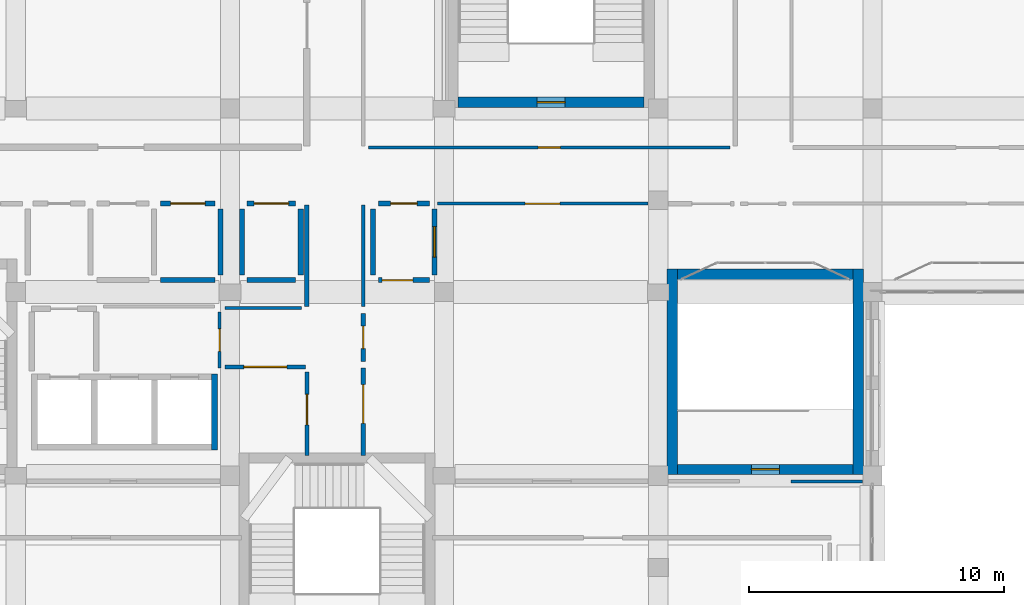
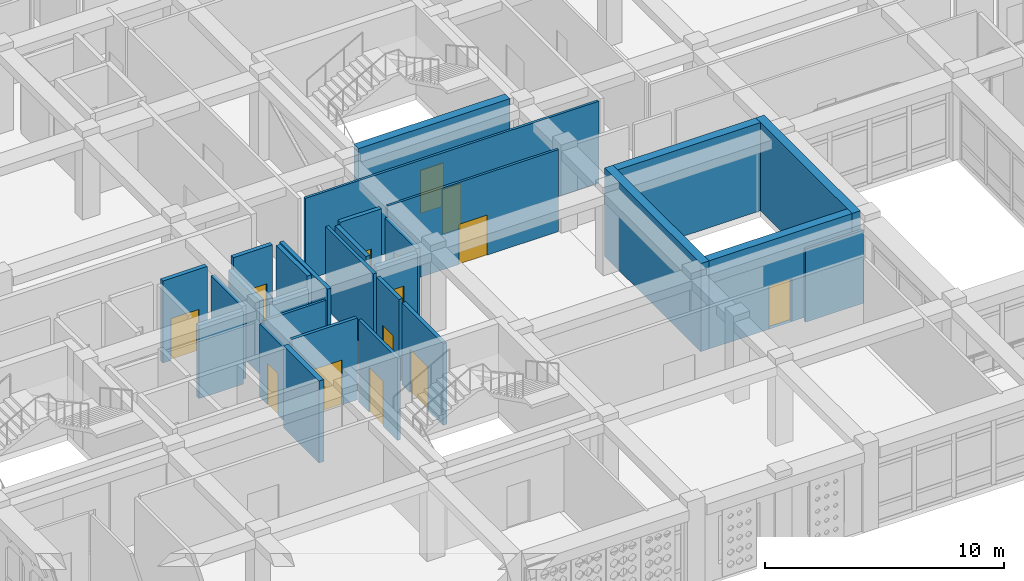
# One storey, part 73 of 121: 28 walls, 14 doors, 14 openings.
"""IFC4 building model written with IfcOpenShell, lengths in metres."""

from ifc_helpers import new_model, si_unit, derived_unit, direction, frame, frame_2d, origin, place, context, subcontext, project, spatial, rectangle, extrude, material, layer, layer_set, type_object, element, fill, save


model = new_model("IFC4")

# Units and contexts
model_context = context("Model", 3, precision=1e-05, world=origin(), true_north=direction((0.0, 1.0)))
body_context = subcontext(model_context, "Body", "Model", "MODEL_VIEW")
ifc_project = project(units=[si_unit("LENGTHUNIT", "METRE"), si_unit("AREAUNIT", "SQUARE_METRE"), si_unit("VOLUMEUNIT", "CUBIC_METRE"), si_unit("PLANEANGLEUNIT", "RADIAN"), si_unit("MASSUNIT", "GRAM", prefix="KILO"), derived_unit("THERMALTRANSMITTANCEUNIT", [(si_unit("POWERUNIT", "WATT"), 1), (si_unit("LENGTHUNIT", "METRE"), -2), (si_unit("THERMODYNAMICTEMPERATUREUNIT", "KELVIN"), -1)])], contexts=[model_context])

# Site, building, storey
site_placement = place(None, origin())
site = spatial("IfcSite", under=ifc_project, at=site_placement, CompositionType="ELEMENT")
building_placement = place(site_placement, origin())
building = spatial("IfcBuilding", under=site, at=building_placement, Name="Veybourne Emporium", CompositionType="ELEMENT")
storey_placement = place(building_placement, frame((0.0, 0.0, 5.39990234375)))
storey = spatial("IfcBuildingStorey", under=building, at=storey_placement, Name="L01", CompositionType="ELEMENT", Elevation=5.39990234375)

# Wall, opening, door
ifc_material_1 = material(Name="Concrete C40/50", Category="concrete")
ifc_layer_1 = layer(ifc_material_1, 0.39990234375)
ifc_layer_set_1 = layer_set([ifc_layer_1], Name="Concrete C40/50")
wall_type_1 = type_object("IfcWallType", Name="IntWall_CW-01", PredefinedType="SHEAR", material=ifc_layer_set_1)
wall_1_placement = place(storey_placement, frame((49.85009765625, 29.050048828125, 0.0), z_axis=(0.0, 0.0, 1.0), x_axis=(-1.0, 0.0, 0.0)))
wall_1 = element("IfcWall", 1, at=wall_1_placement, inside=storey, type_object=wall_type_1, Name="Core stair ST-05 south shear wall (L01)", PredefinedType="SHEAR", context=body_context, shape_type="SweptSolid", body=[
    extrude(rectangle(XDim=7.300048828125, YDim=0.39990234375, at=frame_2d((3.64990234375, 0.0))), origin(), (0.0, 0.0, 1.0), 4.5),
])
opening_1_placement = place(wall_1_placement, frame((3.10009765625, 0.0, 0.0)))
opening_1 = element("IfcOpeningElement", 2, at=opening_1_placement, cuts=wall_1, Name="Opening FD-01", PredefinedType="OPENING", context=body_context, shape_type="SweptSolid", body=[
    extrude(rectangle(XDim=1.10009765625, YDim=2.199951171875, at=frame_2d((0.550048828125, 1.10009765625))), frame((0.0, 0.219970703125, 0.0), z_axis=(0.0, -1.0, 0.0), x_axis=(1.0, 0.0, 0.0)), (0.0, 0.0, 1.0), 0.43994140625),
])
ifc_material_2 = material(Name="Patinated Architectural Bronze", Category="bronze")
door_type_1 = type_object("IfcDoorType", Name="FireDoor_FD-01", OperationType="NOTDEFINED", PredefinedType="DOOR", material=ifc_material_2)
door_1_placement = place(opening_1_placement, origin())
door_1 = element("IfcDoor", 3, at=door_1_placement, inside=storey, type_object=door_type_1, Name="Stair ST-05 fire door (L01)", OperationType="SINGLE_SWING_LEFT", OverallHeight=2.199951171875, OverallWidth=1.10009765625, PredefinedType="DOOR", context=body_context, shape_type="SweptSolid", body=[
    extrude(rectangle(XDim=1.10009765625, YDim=2.199951171875, at=frame_2d((0.550048828125, 1.10009765625))), frame((0.0, 0.02490234375, 0.0), z_axis=(0.0, -1.0, 0.0), x_axis=(1.0, 0.0, 0.0)), (0.0, 0.0, 1.0), 0.050048828125),
])
fill(opening_1, door_1)

wall_2_placement = place(storey_placement, frame((58.050048828125, 14.64990234375, 0.0), z_axis=(0.0, 0.0, 1.0), x_axis=(-1.0, 0.0, 0.0)))
wall_2 = element("IfcWall", 4, at=wall_2_placement, inside=storey, type_object=wall_type_1, Name="Core stair ST-09 south shear wall (L01)", PredefinedType="SHEAR", context=body_context, shape_type="SweptSolid", body=[
    extrude(rectangle(XDim=6.900146484375, YDim=0.39990234375, at=frame_2d((3.4501953125, 0.0))), origin(), (0.0, 0.0, 1.0), 4.5),
])
opening_2_placement = place(wall_2_placement, frame((2.89990234375, 0.0, 0.0)))
opening_2 = element("IfcOpeningElement", 5, at=opening_2_placement, cuts=wall_2, Name="Opening FD-01", PredefinedType="OPENING", context=body_context, shape_type="SweptSolid", body=[
    extrude(rectangle(XDim=1.10009765625, YDim=2.199951171875, at=frame_2d((0.550048828125, 1.10009765625))), frame((0.0, 0.219970703125, 0.0), z_axis=(0.0, -1.0, 0.0), x_axis=(1.0, 0.0, 0.0)), (0.0, 0.0, 1.0), 0.43994140625),
])
door_2_placement = place(opening_2_placement, origin())
door_2 = element("IfcDoor", 6, at=door_2_placement, inside=storey, type_object=door_type_1, Name="Stair ST-09 fire door (L01)", OperationType="SINGLE_SWING_LEFT", OverallHeight=2.199951171875, OverallWidth=1.10009765625, PredefinedType="DOOR", context=body_context, shape_type="SweptSolid", body=[
    extrude(rectangle(XDim=1.10009765625, YDim=2.199951171875, at=frame_2d((0.550048828125, 1.10009765625))), frame((0.0, 0.02490234375, 0.0), z_axis=(0.0, -1.0, 0.0), x_axis=(1.0, 0.0, 0.0)), (0.0, 0.0, 1.0), 0.050048828125),
])
fill(opening_2, door_2)

# Walls
wall_3_placement = place(storey_placement, frame((51.14990234375, 22.300048828125, 0.0), z_axis=(0.0, 0.0, 1.0), x_axis=(1.0, 0.0, 0.0)))
element("IfcWall", 7, at=wall_3_placement, inside=storey, type_object=wall_type_1, Name="Core stair ST-09 north shear wall (L01)", PredefinedType="SHEAR", context=body_context, shape_type="SweptSolid", body=[
    extrude(rectangle(XDim=6.900146484375, YDim=0.39990234375, at=frame_2d((3.4501953125, 0.0))), origin(), (0.0, 0.0, 1.0), 4.5),
])
for number, where, z_axis, x_axis, name in (
    (8, (50.949951171875, 22.5, 0.0), (0.0, 0.0, 1.0), (0.0, -1.0, 0.0), "Core stair ST-09 west shear wall (L01)"),
    (9, (58.25, 14.449951171875, 0.0), (0.0, 0.0, 1.0), (0.0, 1.0, 0.0), "Core stair ST-09 east shear wall (L01)"),
):
    element("IfcWall", number, at=place(storey_placement, frame(where, z_axis=z_axis, x_axis=x_axis)), inside=storey, type_object=wall_type_1, Name=name, PredefinedType="SHEAR", context=body_context, shape_type="SweptSolid", body=[
        extrude(rectangle(XDim=8.050048828125, YDim=0.39990234375, at=frame_2d((4.02490234375, 0.0))), origin(), (0.0, 0.0, 1.0), 4.5),
    ])
ifc_layer_2 = layer(ifc_material_1, 0.239990234375)
ifc_layer_set_2 = layer_set([ifc_layer_2], Name="Concrete C40/50")
wall_type_2 = type_object("IfcWallType", Name="IntWall_CW-04", PredefinedType="SHEAR", material=ifc_layer_set_2)
wall_4_placement = place(storey_placement, frame((33.0, 15.409912109375, 0.0), z_axis=(0.0, 0.0, 1.0), x_axis=(0.0, 1.0, 0.0)))
element("IfcWall", 10, at=wall_4_placement, inside=storey, type_object=wall_type_2, Name="Lift core C1 east shaft wall (L01)", PredefinedType="SHEAR", context=body_context, shape_type="SweptSolid", body=[
    extrude(rectangle(XDim=2.97998046875, YDim=0.239990234375, at=frame_2d((1.489990234375, 0.0))), origin(), (0.0, 0.0, 1.0), 4.18017578125),
])
ifc_material_3 = material(Name="Gypsum Acoustic Board", Category="gypsum")
ifc_layer_3 = layer(ifc_material_3, 0.179931640625)
ifc_layer_set_3 = layer_set([ifc_layer_3], Name="Gypsum Acoustic Board")
wall_type_3 = type_object("IfcWallType", Name="IntWall_IW-01", PredefinedType="PARTITIONING", material=ifc_layer_set_3)
wall_5_placement = place(storey_placement, frame((36.6201171875, 21.030029296875, 0.0), z_axis=(0.0, 0.0, 1.0), x_axis=(0.0, 1.0, 0.0)))
element("IfcWall", 11, at=wall_5_placement, inside=storey, type_object=wall_type_3, Name="L01 interior partition IW-01 #094", PredefinedType="PARTITIONING", context=body_context, shape_type="SweptSolid", body=[
    extrude(rectangle(XDim=3.989990234375, YDim=0.179931640625, at=frame_2d((1.9951171875, 0.0))), origin(), (0.0, 0.0, 1.0), 4.18017578125),
])

# Wall, opening, door
wall_6_placement = place(storey_placement, frame((38.830078125, 15.18994140625, 0.0), z_axis=(0.0, 0.0, 1.0), x_axis=(0.0, 1.0, 0.0)))
wall_6 = element("IfcWall", 12, at=wall_6_placement, inside=storey, type_object=wall_type_3, Name="L01 interior partition IW-01 #100", PredefinedType="PARTITIONING", context=body_context, shape_type="SweptSolid", body=[
    extrude(rectangle(XDim=3.43017578125, YDim=0.179931640625, at=frame_2d((1.715087890625, 0.0))), origin(), (0.0, 0.0, 1.0), 4.18017578125),
])
opening_3_placement = place(wall_6_placement, frame((1.260498046875, 0.0, 0.0)))
opening_3 = element("IfcOpeningElement", 13, at=opening_3_placement, cuts=wall_6, Name="Opening D-17", PredefinedType="OPENING", context=body_context, shape_type="SweptSolid", body=[
    extrude(rectangle(XDim=1.52001953125, YDim=2.2099609375, at=frame_2d((0.760009765625, 1.10498046875))), frame((0.0, 0.10986328125, 0.0), z_axis=(0.0, -1.0, 0.0), x_axis=(1.0, 0.0, 0.0)), (0.0, 0.0, 1.0), 0.219970703125),
])
ifc_material_4 = material(Name="European Oak Veneer and Bronze", Category="wood")
door_type_2 = type_object("IfcDoorType", Name="IntDoor_D-17", OperationType="NOTDEFINED", PredefinedType="DOOR", material=ifc_material_4)
door_3_placement = place(opening_3_placement, origin())
door_3 = element("IfcDoor", 14, at=door_3_placement, inside=storey, type_object=door_type_2, Name="L01 interior door D-17 (PART-L01-100)", OperationType="SINGLE_SWING_RIGHT", OverallHeight=2.2099609375, OverallWidth=1.52001953125, PredefinedType="DOOR", context=body_context, shape_type="SweptSolid", body=[
    extrude(rectangle(XDim=1.52001953125, YDim=2.2099609375, at=frame_2d((0.760009765625, 1.10498046875))), frame((0.0, 0.02490234375, 0.0), z_axis=(0.0, -1.0, 0.0), x_axis=(1.0, 0.0, 0.0)), (0.0, 0.0, 1.0), 0.050048828125),
])
fill(opening_3, door_3)

wall_7_placement = place(storey_placement, frame((38.830078125, 18.8798828125, 0.0), z_axis=(0.0, 0.0, 1.0), x_axis=(0.0, 1.0, 0.0)))
wall_7 = element("IfcWall", 15, at=wall_7_placement, inside=storey, type_object=wall_type_3, Name="L01 interior partition IW-01 #142", PredefinedType="PARTITIONING", context=body_context, shape_type="SweptSolid", body=[
    extrude(rectangle(XDim=1.89013671875, YDim=0.179931640625, at=frame_2d((0.945068359375, 0.0))), origin(), (0.0, 0.0, 1.0), 4.18017578125),
])
opening_4_placement = place(wall_7_placement, frame((0.5048828125, 0.0, 0.0)))
opening_4 = element("IfcOpeningElement", 16, at=opening_4_placement, cuts=wall_7, Name="Opening D-01", PredefinedType="OPENING", context=body_context, shape_type="SweptSolid", body=[
    extrude(rectangle(XDim=0.8798828125, YDim=2.050048828125, at=frame_2d((0.43994140625, 1.02490234375))), frame((0.0, 0.10986328125, 0.0), z_axis=(0.0, -1.0, 0.0), x_axis=(1.0, 0.0, 0.0)), (0.0, 0.0, 1.0), 0.219970703125),
])
door_type_3 = type_object("IfcDoorType", Name="IntDoor_D-01", OperationType="NOTDEFINED", PredefinedType="DOOR", material=ifc_material_4)
door_4_placement = place(opening_4_placement, origin())
door_4 = element("IfcDoor", 17, at=door_4_placement, inside=storey, type_object=door_type_3, Name="L01 interior door D-01 (PART-L01-142)", OperationType="SINGLE_SWING_RIGHT", OverallHeight=2.050048828125, OverallWidth=0.8798828125, PredefinedType="DOOR", context=body_context, shape_type="SweptSolid", body=[
    extrude(rectangle(XDim=0.8798828125, YDim=2.050048828125, at=frame_2d((0.43994140625, 1.02490234375))), frame((0.0, 0.02490234375, 0.0), z_axis=(0.0, -1.0, 0.0), x_axis=(1.0, 0.0, 0.0)), (0.0, 0.0, 1.0), 0.050048828125),
])
fill(opening_4, door_4)

# Wall
ifc_layer_4 = layer(ifc_material_3, 0.14990234375)
ifc_layer_set_4 = layer_set([ifc_layer_4], Name="Gypsum Acoustic Board")
wall_type_4 = type_object("IfcWallType", Name="IntWall_IW-02", PredefinedType="PARTITIONING", material=ifc_layer_set_4)
wall_8_placement = place(storey_placement, frame((38.830078125, 21.030029296875, 0.0), z_axis=(0.0, 0.0, 1.0), x_axis=(0.0, 1.0, 0.0)))
element("IfcWall", 18, at=wall_8_placement, inside=storey, type_object=wall_type_4, Name="L01 interior partition IW-02 #095", PredefinedType="PARTITIONING", context=body_context, shape_type="SweptSolid", body=[
    extrude(rectangle(XDim=3.989990234375, YDim=0.14990234375, at=frame_2d((1.9951171875, 0.0))), origin(), (0.0, 0.0, 1.0), 4.18017578125),
])

# Wall, opening, door
wall_9_placement = place(storey_placement, frame((36.6201171875, 15.18994140625, 0.0), z_axis=(0.0, 0.0, 1.0), x_axis=(0.0, 1.0, 0.0)))
wall_9 = element("IfcWall", 19, at=wall_9_placement, inside=storey, type_object=wall_type_4, Name="L01 interior partition IW-02 #104", PredefinedType="PARTITIONING", context=body_context, shape_type="SweptSolid", body=[
    extrude(rectangle(XDim=3.27001953125, YDim=0.14990234375, at=frame_2d((1.635009765625, 0.0))), origin(), (0.0, 0.0, 1.0), 4.18017578125),
])
opening_5_placement = place(wall_9_placement, frame((1.20068359375, 0.0, 0.0)))
opening_5 = element("IfcOpeningElement", 20, at=opening_5_placement, cuts=wall_9, Name="Opening D-21", PredefinedType="OPENING", context=body_context, shape_type="SweptSolid", body=[
    extrude(rectangle(XDim=1.199951171875, YDim=2.2900390625, at=frame_2d((0.60009765625, 1.14501953125))), frame((0.0, 0.094970703125, 0.0), z_axis=(0.0, -1.0, 0.0), x_axis=(1.0, 0.0, 0.0)), (0.0, 0.0, 1.0), 0.18994140625),
])
door_type_4 = type_object("IfcDoorType", Name="IntDoor_D-21", OperationType="NOTDEFINED", PredefinedType="DOOR", material=ifc_material_4)
door_5_placement = place(opening_5_placement, origin())
door_5 = element("IfcDoor", 21, at=door_5_placement, inside=storey, type_object=door_type_4, Name="L01 interior door D-21 (PART-L01-104)", OperationType="SINGLE_SWING_LEFT", OverallHeight=2.2900390625, OverallWidth=1.199951171875, PredefinedType="DOOR", context=body_context, shape_type="SweptSolid", body=[
    extrude(rectangle(XDim=1.199951171875, YDim=2.2900390625, at=frame_2d((0.60009765625, 1.14501953125))), frame((0.0, 0.02490234375, 0.0), z_axis=(0.0, -1.0, 0.0), x_axis=(1.0, 0.0, 0.0)), (0.0, 0.0, 1.0), 0.050048828125),
])
fill(opening_5, door_5)

wall_10_placement = place(storey_placement, frame((33.409912109375, 18.669921875, 0.0), z_axis=(0.0, 0.0, 1.0), x_axis=(1.0, 0.0, 0.0)))
wall_10 = element("IfcWall", 22, at=wall_10_placement, inside=storey, type_object=wall_type_4, Name="L01 interior partition IW-02 #107", PredefinedType="PARTITIONING", context=body_context, shape_type="SweptSolid", body=[
    extrude(rectangle(XDim=3.16015625, YDim=0.14990234375, at=frame_2d((1.580078125, 0.0))), origin(), (0.0, 0.0, 1.0), 4.18017578125),
])
opening_6_placement = place(wall_10_placement, frame((0.739990234375, 0.0, 0.0)))
opening_6 = element("IfcOpeningElement", 23, at=opening_6_placement, cuts=wall_10, Name="Opening D-24", PredefinedType="OPENING", context=body_context, shape_type="SweptSolid", body=[
    extrude(rectangle(XDim=1.679931640625, YDim=2.2900390625, at=frame_2d((0.83984375, 1.14501953125))), frame((0.0, 0.094970703125, 0.0), z_axis=(0.0, -1.0, 0.0), x_axis=(1.0, 0.0, 0.0)), (0.0, 0.0, 1.0), 0.18994140625),
])
door_type_5 = type_object("IfcDoorType", Name="IntDoor_D-24", OperationType="DOUBLE_DOOR_SINGLE_SWING", PredefinedType="DOOR", material=ifc_material_4)
door_6_placement = place(opening_6_placement, origin())
door_6 = element("IfcDoor", 24, at=door_6_placement, inside=storey, type_object=door_type_5, Name="L01 interior door D-24 (PART-L01-107)", OperationType="DOUBLE_DOOR_SINGLE_SWING", OverallHeight=2.2900390625, OverallWidth=1.679931640625, PredefinedType="DOOR", context=body_context, shape_type="SweptSolid", body=[
    extrude(rectangle(XDim=1.679931640625, YDim=2.2900390625, at=frame_2d((0.83984375, 1.14501953125))), frame((0.0, 0.02490234375, 0.0), z_axis=(0.0, -1.0, 0.0), x_axis=(1.0, 0.0, 0.0)), (0.0, 0.0, 1.0), 0.050048828125),
])
fill(opening_6, door_6)

# Wall
ifc_layer_5 = layer(ifc_material_3, 0.1201171875)
ifc_layer_set_5 = layer_set([ifc_layer_5], Name="Gypsum Acoustic Board")
wall_type_5 = type_object("IfcWallType", Name="IntWall_IW-03", PredefinedType="PARTITIONING", material=ifc_layer_set_5)
wall_11_placement = place(storey_placement, frame((55.615234375, 14.179931640625, 0.0), z_axis=(0.0, 0.0, 1.0), x_axis=(1.0, 0.0, 0.0)))
element("IfcWall", 25, at=wall_11_placement, inside=storey, type_object=wall_type_5, Name="L01 interior partition IW-03 #012", PredefinedType="PARTITIONING", context=body_context, shape_type="SweptSolid", body=[
    extrude(rectangle(XDim=2.789794921875, YDim=0.1201171875, at=frame_2d((1.39501953125, 0.0))), origin(), (0.0, 0.0, 1.0), 3.72998046875),
])

# Wall, opening, door
wall_12_placement = place(storey_placement, frame((39.0400390625, 27.280029296875, 0.0), z_axis=(0.0, 0.0, 1.0), x_axis=(1.0, 0.0, 0.0)))
wall_12 = element("IfcWall", 26, at=wall_12_placement, inside=storey, type_object=wall_type_5, Name="L01 interior partition IW-03 #030", PredefinedType="PARTITIONING", context=body_context, shape_type="SweptSolid", body=[
    extrude(rectangle(XDim=14.169921875, YDim=0.1201171875, at=frame_2d((7.0849609375, 0.0))), origin(), (0.0, 0.0, 1.0), 4.18017578125),
])
opening_7_placement = place(wall_12_placement, frame((6.64501953125, 0.0, 0.0)))
opening_7 = element("IfcOpeningElement", 27, at=opening_7_placement, cuts=wall_12, Name="Opening D-19", PredefinedType="OPENING", context=body_context, shape_type="SweptSolid", body=[
    extrude(rectangle(XDim=0.8798828125, YDim=2.2900390625, at=frame_2d((0.43994140625, 1.14501953125))), frame((0.0, 0.080078125, 0.0), z_axis=(0.0, -1.0, 0.0), x_axis=(1.0, 0.0, 0.0)), (0.0, 0.0, 1.0), 0.16015625),
])
door_type_6 = type_object("IfcDoorType", Name="IntDoor_D-19", OperationType="NOTDEFINED", PredefinedType="DOOR", material=ifc_material_4)
door_7_placement = place(opening_7_placement, origin())
door_7 = element("IfcDoor", 28, at=door_7_placement, inside=storey, type_object=door_type_6, Name="L01 interior door D-19 (PART-L01-030)", OperationType="SINGLE_SWING_LEFT", OverallHeight=2.2900390625, OverallWidth=0.8798828125, PredefinedType="DOOR", context=body_context, shape_type="SweptSolid", body=[
    extrude(rectangle(XDim=0.8798828125, YDim=2.2900390625, at=frame_2d((0.43994140625, 1.14501953125))), frame((0.0, 0.02490234375, 0.0), z_axis=(0.0, -1.0, 0.0), x_axis=(1.0, 0.0, 0.0)), (0.0, 0.0, 1.0), 0.050048828125),
])
fill(opening_7, door_7)

wall_13_placement = place(storey_placement, frame((41.735107421875, 25.070068359375, 0.0), z_axis=(0.0, 0.0, 1.0), x_axis=(1.0, 0.0, 0.0)))
wall_13 = element("IfcWall", 29, at=wall_13_placement, inside=storey, type_object=wall_type_5, Name="L01 interior partition IW-03 #051", PredefinedType="PARTITIONING", context=body_context, shape_type="SweptSolid", body=[
    extrude(rectangle(XDim=8.2548828125, YDim=0.1201171875, at=frame_2d((4.12744140625, 0.0))), origin(), (0.0, 0.0, 1.0), 4.18017578125),
])
opening_8_placement = place(wall_13_placement, frame((3.447509765625, 0.0, 0.0)))
opening_8 = element("IfcOpeningElement", 30, at=opening_8_placement, cuts=wall_13, Name="Opening D-04", PredefinedType="OPENING", context=body_context, shape_type="SweptSolid", body=[
    extrude(rectangle(XDim=1.360107421875, YDim=2.050048828125, at=frame_2d((0.68017578125, 1.02490234375))), frame((0.0, 0.080078125, 0.0), z_axis=(0.0, -1.0, 0.0), x_axis=(1.0, 0.0, 0.0)), (0.0, 0.0, 1.0), 0.16015625),
])
door_type_7 = type_object("IfcDoorType", Name="IntDoor_D-04", OperationType="NOTDEFINED", PredefinedType="DOOR", material=ifc_material_4)
door_8_placement = place(opening_8_placement, origin())
door_8 = element("IfcDoor", 31, at=door_8_placement, inside=storey, type_object=door_type_7, Name="L01 interior door D-04 (PART-L01-051)", OperationType="SINGLE_SWING_LEFT", OverallHeight=2.050048828125, OverallWidth=1.360107421875, PredefinedType="DOOR", context=body_context, shape_type="SweptSolid", body=[
    extrude(rectangle(XDim=1.360107421875, YDim=2.050048828125, at=frame_2d((0.68017578125, 1.02490234375))), frame((0.0, 0.02490234375, 0.0), z_axis=(0.0, -1.0, 0.0), x_axis=(1.0, 0.0, 0.0)), (0.0, 0.0, 1.0), 0.050048828125),
])
fill(opening_8, door_8)

# Wall
wall_14_placement = place(storey_placement, frame((33.409912109375, 20.97998046875, 0.0), z_axis=(0.0, 0.0, 1.0), x_axis=(1.0, 0.0, 0.0)))
element("IfcWall", 32, at=wall_14_placement, inside=storey, type_object=wall_type_5, Name="L01 interior partition IW-03 #108", PredefinedType="PARTITIONING", context=body_context, shape_type="SweptSolid", body=[
    extrude(rectangle(XDim=3.0, YDim=0.1201171875, at=frame_2d((1.5, 0.0))), origin(), (0.0, 0.0, 1.0), 3.72998046875),
])

# Wall, opening, door
wall_15_placement = place(storey_placement, frame((33.199951171875, 18.6201171875, 0.0), z_axis=(0.0, 0.0, 1.0), x_axis=(0.0, 1.0, 0.0)))
wall_15 = element("IfcWall", 33, at=wall_15_placement, inside=storey, type_object=wall_type_5, Name="L01 interior partition IW-03 #126", PredefinedType="PARTITIONING", context=body_context, shape_type="SweptSolid", body=[
    extrude(rectangle(XDim=2.199951171875, YDim=0.1201171875, at=frame_2d((1.10009765625, 0.0))), origin(), (0.0, 0.0, 1.0), 3.72998046875),
])
opening_9_placement = place(wall_15_placement, frame((0.659912109375, 0.0, 0.0)))
opening_9 = element("IfcOpeningElement", 34, at=opening_9_placement, cuts=wall_15, Name="Opening D-07", PredefinedType="OPENING", context=body_context, shape_type="SweptSolid", body=[
    extrude(rectangle(XDim=0.8798828125, YDim=2.1298828125, at=frame_2d((0.43994140625, 1.06494140625))), frame((0.0, 0.080078125, 0.0), z_axis=(0.0, -1.0, 0.0), x_axis=(1.0, 0.0, 0.0)), (0.0, 0.0, 1.0), 0.16015625),
])
door_type_8 = type_object("IfcDoorType", Name="IntDoor_D-07", OperationType="NOTDEFINED", PredefinedType="DOOR", material=ifc_material_4)
door_9_placement = place(opening_9_placement, origin())
door_9 = element("IfcDoor", 35, at=door_9_placement, inside=storey, type_object=door_type_8, Name="L01 interior door D-07 (PART-L01-126)", OperationType="SINGLE_SWING_LEFT", OverallHeight=2.1298828125, OverallWidth=0.8798828125, PredefinedType="DOOR", context=body_context, shape_type="SweptSolid", body=[
    extrude(rectangle(XDim=0.8798828125, YDim=2.1298828125, at=frame_2d((0.43994140625, 1.06494140625))), frame((0.0, 0.02490234375, 0.0), z_axis=(0.0, -1.0, 0.0), x_axis=(1.0, 0.0, 0.0)), (0.0, 0.0, 1.0), 0.050048828125),
])
fill(opening_9, door_9)

ifc_layer_6 = layer(ifc_material_3, 0.199951171875)
ifc_layer_set_6 = layer_set([ifc_layer_6], Name="Gypsum Acoustic Board")
wall_type_6 = type_object("IfcWallType", Name="IntWall_IW-04", PredefinedType="PLUMBINGWALL", material=ifc_layer_set_6)
wall_16_placement = place(storey_placement, frame((41.6298828125, 22.280029296875, 0.0), z_axis=(0.0, 0.0, 1.0), x_axis=(0.0, 1.0, 0.0)))
wall_16 = element("IfcWall", 36, at=wall_16_placement, inside=storey, type_object=wall_type_6, Name="L01 interior partition IW-04 #116", PredefinedType="PLUMBINGWALL", context=body_context, shape_type="SweptSolid", body=[
    extrude(rectangle(XDim=2.590087890625, YDim=0.199951171875, at=frame_2d((1.294921875, 0.0))), origin(), (0.0, 0.0, 1.0), 3.72998046875),
])
opening_10_placement = place(wall_16_placement, frame((0.695068359375, 0.0, 0.0)))
opening_10 = element("IfcOpeningElement", 37, at=opening_10_placement, cuts=wall_16, Name="Opening D-33", PredefinedType="OPENING", context=body_context, shape_type="SweptSolid", body=[
    extrude(rectangle(XDim=1.199951171875, YDim=2.449951171875, at=frame_2d((0.60009765625, 1.22509765625))), frame((0.0, 0.1201171875, 0.0), z_axis=(0.0, -1.0, 0.0), x_axis=(1.0, 0.0, 0.0)), (0.0, 0.0, 1.0), 0.239990234375),
])
door_type_9 = type_object("IfcDoorType", Name="IntDoor_D-33", OperationType="NOTDEFINED", PredefinedType="DOOR", material=ifc_material_4)
door_10_placement = place(opening_10_placement, origin())
door_10 = element("IfcDoor", 38, at=door_10_placement, inside=storey, type_object=door_type_9, Name="L01 interior door D-33 (PART-L01-116)", OperationType="SINGLE_SWING_RIGHT", OverallHeight=2.449951171875, OverallWidth=1.199951171875, PredefinedType="DOOR", context=body_context, shape_type="SweptSolid", body=[
    extrude(rectangle(XDim=1.199951171875, YDim=2.449951171875, at=frame_2d((0.60009765625, 1.22509765625))), frame((0.0, 0.02490234375, 0.0), z_axis=(0.0, -1.0, 0.0), x_axis=(1.0, 0.0, 0.0)), (0.0, 0.0, 1.0), 0.050048828125),
])
fill(opening_10, door_10)

# Wall
wall_17_placement = place(storey_placement, frame((39.219970703125, 22.280029296875, 0.0), z_axis=(0.0, 0.0, 1.0), x_axis=(0.0, 1.0, 0.0)))
element("IfcWall", 39, at=wall_17_placement, inside=storey, type_object=wall_type_6, Name="L01 interior partition IW-04 #117", PredefinedType="PLUMBINGWALL", context=body_context, shape_type="SweptSolid", body=[
    extrude(rectangle(XDim=2.590087890625, YDim=0.199951171875, at=frame_2d((1.294921875, 0.0))), origin(), (0.0, 0.0, 1.0), 4.18017578125),
])

# Wall, opening, door
wall_18_placement = place(storey_placement, frame((30.8798828125, 25.080078125, 0.0), z_axis=(0.0, 0.0, 1.0), x_axis=(1.0, 0.0, 0.0)))
wall_18 = element("IfcWall", 40, at=wall_18_placement, inside=storey, type_object=wall_type_6, Name="L01 interior partition IW-04 #129", PredefinedType="PLUMBINGWALL", context=body_context, shape_type="SweptSolid", body=[
    extrude(rectangle(XDim=2.14013671875, YDim=0.199951171875, at=frame_2d((1.070068359375, 0.0))), origin(), (0.0, 0.0, 1.0), 4.18017578125),
])
opening_11_placement = place(wall_18_placement, frame((0.389892578125, 0.0, 0.0)))
opening_11 = element("IfcOpeningElement", 41, at=opening_11_placement, cuts=wall_18, Name="Opening D-10", PredefinedType="OPENING", context=body_context, shape_type="SweptSolid", body=[
    extrude(rectangle(XDim=1.360107421875, YDim=2.1298828125, at=frame_2d((0.68017578125, 1.06494140625))), frame((0.0, 0.1201171875, 0.0), z_axis=(0.0, -1.0, 0.0), x_axis=(1.0, 0.0, 0.0)), (0.0, 0.0, 1.0), 0.239990234375),
])
door_type_10 = type_object("IfcDoorType", Name="IntDoor_D-10", OperationType="NOTDEFINED", PredefinedType="DOOR", material=ifc_material_4)
door_11_placement = place(opening_11_placement, origin())
door_11 = element("IfcDoor", 42, at=door_11_placement, inside=storey, type_object=door_type_10, Name="L01 interior door D-10 (PART-L01-129)", OperationType="SINGLE_SWING_LEFT", OverallHeight=2.1298828125, OverallWidth=1.360107421875, PredefinedType="DOOR", context=body_context, shape_type="SweptSolid", body=[
    extrude(rectangle(XDim=1.360107421875, YDim=2.1298828125, at=frame_2d((0.68017578125, 1.06494140625))), frame((0.0, 0.02490234375, 0.0), z_axis=(0.0, -1.0, 0.0), x_axis=(1.0, 0.0, 0.0)), (0.0, 0.0, 1.0), 0.050048828125),
])
fill(opening_11, door_11)

wall_19_placement = place(storey_placement, frame((39.429931640625, 25.080078125, 0.0), z_axis=(0.0, 0.0, 1.0), x_axis=(1.0, 0.0, 0.0)))
wall_19 = element("IfcWall", 43, at=wall_19_placement, inside=storey, type_object=wall_type_6, Name="L01 interior partition IW-04 #139", PredefinedType="PLUMBINGWALL", context=body_context, shape_type="SweptSolid", body=[
    extrude(rectangle(XDim=1.989990234375, YDim=0.199951171875, at=frame_2d((0.9951171875, 0.0))), origin(), (0.0, 0.0, 1.0), 4.18017578125),
])
opening_12_placement = place(wall_19_placement, frame((0.47509765625, 0.0, 0.0)))
opening_12 = element("IfcOpeningElement", 44, at=opening_12_placement, cuts=wall_19, Name="Opening D-20", PredefinedType="OPENING", context=body_context, shape_type="SweptSolid", body=[
    extrude(rectangle(XDim=1.0400390625, YDim=2.2900390625, at=frame_2d((0.52001953125, 1.14501953125))), frame((0.0, 0.1201171875, 0.0), z_axis=(0.0, -1.0, 0.0), x_axis=(1.0, 0.0, 0.0)), (0.0, 0.0, 1.0), 0.239990234375),
])
door_type_11 = type_object("IfcDoorType", Name="IntDoor_D-20", OperationType="NOTDEFINED", PredefinedType="DOOR", material=ifc_material_4)
door_12_placement = place(opening_12_placement, origin())
door_12 = element("IfcDoor", 45, at=door_12_placement, inside=storey, type_object=door_type_11, Name="L01 interior door D-20 (PART-L01-139)", OperationType="SINGLE_SWING_LEFT", OverallHeight=2.2900390625, OverallWidth=1.0400390625, PredefinedType="DOOR", context=body_context, shape_type="SweptSolid", body=[
    extrude(rectangle(XDim=1.0400390625, YDim=2.2900390625, at=frame_2d((0.52001953125, 1.14501953125))), frame((0.0, 0.02490234375, 0.0), z_axis=(0.0, -1.0, 0.0), x_axis=(1.0, 0.0, 0.0)), (0.0, 0.0, 1.0), 0.050048828125),
])
fill(opening_12, door_12)

wall_20_placement = place(storey_placement, frame((39.429931640625, 22.070068359375, 0.0), z_axis=(0.0, 0.0, 1.0), x_axis=(1.0, 0.0, 0.0)))
wall_20 = element("IfcWall", 46, at=wall_20_placement, inside=storey, type_object=wall_type_6, Name="L01 interior partition IW-04 #140", PredefinedType="PLUMBINGWALL", context=body_context, shape_type="SweptSolid", body=[
    extrude(rectangle(XDim=1.989990234375, YDim=0.199951171875, at=frame_2d((0.9951171875, 0.0))), origin(), (0.0, 0.0, 1.0), 3.72998046875),
])
opening_13_placement = place(wall_20_placement, frame((0.14208984375, 0.0, 0.0)))
opening_13 = element("IfcOpeningElement", 47, at=opening_13_placement, cuts=wall_20, Name="Opening D-21", PredefinedType="OPENING", context=body_context, shape_type="SweptSolid", body=[
    extrude(rectangle(XDim=1.199951171875, YDim=2.2900390625, at=frame_2d((0.60009765625, 1.14501953125))), frame((0.0, 0.1201171875, 0.0), z_axis=(0.0, -1.0, 0.0), x_axis=(1.0, 0.0, 0.0)), (0.0, 0.0, 1.0), 0.239990234375),
])
door_13_placement = place(opening_13_placement, origin())
door_13 = element("IfcDoor", 48, at=door_13_placement, inside=storey, type_object=door_type_4, Name="L01 interior door D-21 (PART-L01-140)", OperationType="SINGLE_SWING_RIGHT", OverallHeight=2.2900390625, OverallWidth=1.199951171875, PredefinedType="DOOR", context=body_context, shape_type="SweptSolid", body=[
    extrude(rectangle(XDim=1.199951171875, YDim=2.2900390625, at=frame_2d((0.60009765625, 1.14501953125))), frame((0.0, 0.02490234375, 0.0), z_axis=(0.0, -1.0, 0.0), x_axis=(1.0, 0.0, 0.0)), (0.0, 0.0, 1.0), 0.050048828125),
])
fill(opening_13, door_13)

wall_21_placement = place(storey_placement, frame((34.280029296875, 25.080078125, 0.0), z_axis=(0.0, 0.0, 1.0), x_axis=(1.0, 0.0, 0.0)))
wall_21 = element("IfcWall", 49, at=wall_21_placement, inside=storey, type_object=wall_type_6, Name="L01 interior partition IW-04 #141", PredefinedType="PLUMBINGWALL", context=body_context, shape_type="SweptSolid", body=[
    extrude(rectangle(XDim=1.889892578125, YDim=0.199951171875, at=frame_2d((0.94482421875, 0.0))), origin(), (0.0, 0.0, 1.0), 4.18017578125),
])
opening_14_placement = place(wall_21_placement, frame((0.264892578125, 0.0, 0.0)))
opening_14 = element("IfcOpeningElement", 50, at=opening_14_placement, cuts=wall_21, Name="Opening D-22", PredefinedType="OPENING", context=body_context, shape_type="SweptSolid", body=[
    extrude(rectangle(XDim=1.360107421875, YDim=2.2900390625, at=frame_2d((0.68017578125, 1.14501953125))), frame((0.0, 0.1201171875, 0.0), z_axis=(0.0, -1.0, 0.0), x_axis=(1.0, 0.0, 0.0)), (0.0, 0.0, 1.0), 0.239990234375),
])
door_type_12 = type_object("IfcDoorType", Name="IntDoor_D-22", OperationType="NOTDEFINED", PredefinedType="DOOR", material=ifc_material_4)
door_14_placement = place(opening_14_placement, origin())
door_14 = element("IfcDoor", 51, at=door_14_placement, inside=storey, type_object=door_type_12, Name="L01 interior door D-22 (PART-L01-141)", OperationType="SINGLE_SWING_LEFT", OverallHeight=2.2900390625, OverallWidth=1.360107421875, PredefinedType="DOOR", context=body_context, shape_type="SweptSolid", body=[
    extrude(rectangle(XDim=1.360107421875, YDim=2.2900390625, at=frame_2d((0.68017578125, 1.14501953125))), frame((0.0, 0.02490234375, 0.0), z_axis=(0.0, -1.0, 0.0), x_axis=(1.0, 0.0, 0.0)), (0.0, 0.0, 1.0), 0.050048828125),
])
fill(opening_14, door_14)

# Walls
wall_22_placement = place(storey_placement, frame((33.22998046875, 22.280029296875, 0.0), z_axis=(0.0, 0.0, 1.0), x_axis=(0.0, 1.0, 0.0)))
element("IfcWall", 52, at=wall_22_placement, inside=storey, type_object=wall_type_6, Name="L01 interior partition IW-04 #201", PredefinedType="PLUMBINGWALL", context=body_context, shape_type="SweptSolid", body=[
    extrude(rectangle(XDim=2.590087890625, YDim=0.199951171875, at=frame_2d((1.294921875, 0.0))), origin(), (0.0, 0.0, 1.0), 3.72998046875),
])
wall_23_placement = place(storey_placement, frame((36.3798828125, 22.280029296875, 0.0), z_axis=(0.0, 0.0, 1.0), x_axis=(0.0, 1.0, 0.0)))
element("IfcWall", 53, at=wall_23_placement, inside=storey, type_object=wall_type_6, Name="L01 interior partition IW-04 #202", PredefinedType="PLUMBINGWALL", context=body_context, shape_type="SweptSolid", body=[
    extrude(rectangle(XDim=2.590087890625, YDim=0.199951171875, at=frame_2d((1.294921875, 0.0))), origin(), (0.0, 0.0, 1.0), 4.18017578125),
])
wall_24_placement = place(storey_placement, frame((34.070068359375, 22.280029296875, 0.0), z_axis=(0.0, 0.0, 1.0), x_axis=(0.0, 1.0, 0.0)))
element("IfcWall", 54, at=wall_24_placement, inside=storey, type_object=wall_type_6, Name="L01 interior partition IW-04 #203", PredefinedType="PLUMBINGWALL", context=body_context, shape_type="SweptSolid", body=[
    extrude(rectangle(XDim=2.590087890625, YDim=0.199951171875, at=frame_2d((1.294921875, 0.0))), origin(), (0.0, 0.0, 1.0), 3.72998046875),
])
wall_25_placement = place(storey_placement, frame((30.8798828125, 22.070068359375, 0.0), z_axis=(0.0, 0.0, 1.0), x_axis=(1.0, 0.0, 0.0)))
element("IfcWall", 55, at=wall_25_placement, inside=storey, type_object=wall_type_6, Name="L01 interior partition IW-04 #204", PredefinedType="PLUMBINGWALL", context=body_context, shape_type="SweptSolid", body=[
    extrude(rectangle(XDim=2.14013671875, YDim=0.199951171875, at=frame_2d((1.070068359375, 0.0))), origin(), (0.0, 0.0, 1.0), 3.72998046875),
])
wall_26_placement = place(storey_placement, frame((34.280029296875, 22.070068359375, 0.0), z_axis=(0.0, 0.0, 1.0), x_axis=(1.0, 0.0, 0.0)))
element("IfcWall", 56, at=wall_26_placement, inside=storey, type_object=wall_type_6, Name="L01 interior partition IW-04 #206", PredefinedType="PLUMBINGWALL", context=body_context, shape_type="SweptSolid", body=[
    extrude(rectangle(XDim=1.889892578125, YDim=0.199951171875, at=frame_2d((0.94482421875, 0.0))), origin(), (0.0, 0.0, 1.0), 3.72998046875),
])

save(model, "model.ifc")
